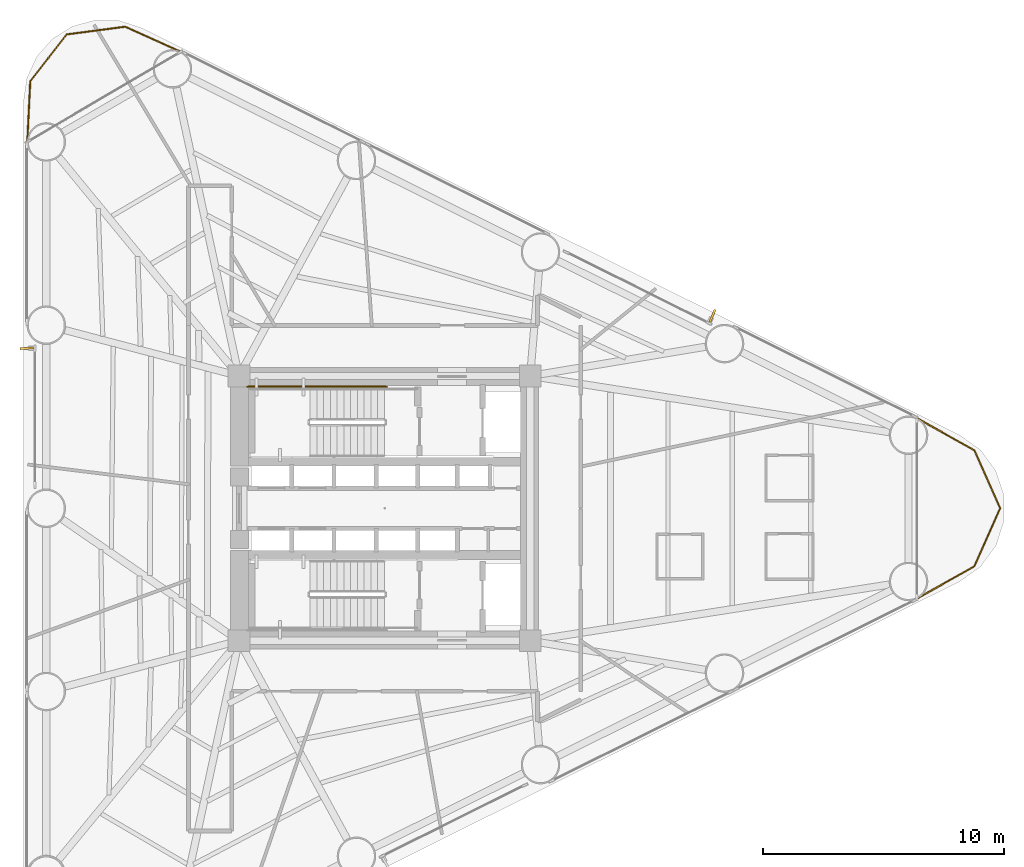
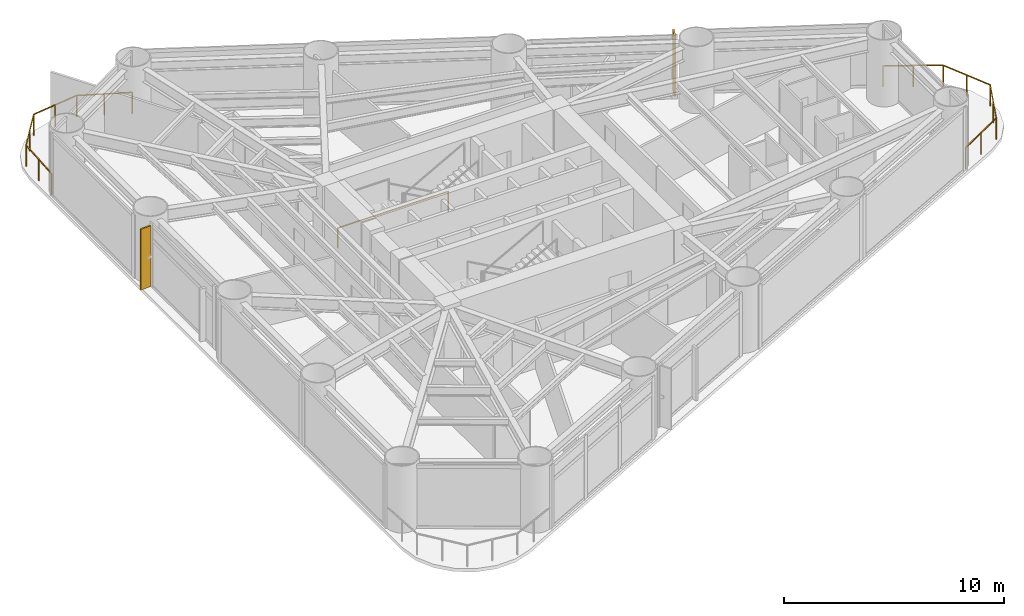
# One storey, part 10 of 10: 3 railings, 2 shading devices.
"""IFC4 building model written with IfcOpenShell, lengths in metres."""

from ifc_helpers import new_model, si_unit, direction, frame, origin, origin_2d, place, context, subcontext, project, spatial, rectangle, extrude, source, transform, mapped, material, material_profile, profile_set, type_object, element, save


model = new_model("IFC4")

# Units and contexts
model_context = context("Model", 3, precision=1e-05, world=origin(), true_north=direction((0.0, 1.0)))
body_context = subcontext(model_context, "Body", "Model", "MODEL_VIEW")
ifc_project = project(units=[si_unit("LENGTHUNIT", "METRE"), si_unit("AREAUNIT", "SQUARE_METRE"), si_unit("VOLUMEUNIT", "CUBIC_METRE"), si_unit("PLANEANGLEUNIT", "RADIAN"), si_unit("MASSUNIT", "GRAM", prefix="KILO")], contexts=[model_context])

# Site, building, storey
site_placement = place(None, origin())
site = spatial("IfcSite", under=ifc_project, at=site_placement, CompositionType="ELEMENT")
building_placement = place(site_placement, origin())
building = spatial("IfcBuilding", under=site, at=building_placement, Name="Yunling Apex Tower", CompositionType="ELEMENT")
storey_placement = place(building_placement, frame((0.0, 0.0, 46.0)))
storey = spatial("IfcBuildingStorey", under=building, at=storey_placement, Name="L13", CompositionType="ELEMENT", Elevation=46.0)

# Railings
ifc_material_1 = material(Name="Bronze anodised aluminium", Category="aluminium")
railing_type_1 = type_object("IfcRailingType", Name="RL-BAL-1200", PredefinedType="BALUSTRADE", material=ifc_material_1)
railing_1_placement = place(storey_placement, frame((22.1181640625, 3.74609375, 0.0)))
element("IfcRailing", 1, at=railing_1_placement, inside=storey, type_object=railing_type_1, Name="RL-CRNSILL-L13-1", PredefinedType="BALUSTRADE", context=body_context, shape_type="SweptSolid", body=[
    extrude(rectangle(XDim=0.0439453125, YDim=0.0439453125, at=origin_2d()), origin(), (0.0, 0.0, 1.0), 1.199951171875),
    extrude(rectangle(XDim=0.0439453125, YDim=0.0439453125, at=origin_2d()), frame((2.380615234375, -1.3349609375, 0.0)), (0.0, 0.0, 1.0), 1.199951171875),
    extrude(rectangle(XDim=0.050048828125, YDim=0.050048828125, at=origin_2d()), frame((0.033447265625, -0.018798828125, 1.1748046875), z_axis=(0.872222158118, -0.48910991289, 0.0), x_axis=(0.48910991289, 0.872222158118, 0.0)), (0.0, 0.0, 1.0), 2.652587890625),
    extrude(rectangle(XDim=0.0439453125, YDim=0.0439453125, at=origin_2d()), frame((1.1904296875, -0.66748046875, 0.0)), (0.0, 0.0, 1.0), 1.14599609375),
    extrude(rectangle(XDim=0.0439453125, YDim=0.0439453125, at=origin_2d()), frame((3.45263671875, -3.74609375, 0.0)), (0.0, 0.0, 1.0), 1.199951171875),
    extrude(rectangle(XDim=0.050048828125, YDim=0.050048828125, at=origin_2d()), frame((2.396240234375, -1.369873046875, 1.1748046875), z_axis=(0.406267230745, -0.913754309004, 0.0), x_axis=(0.913754309004, 0.406267230745, 0.0)), (0.0, 0.0, 1.0), 2.56201171875),
    extrude(rectangle(XDim=0.0439453125, YDim=0.0439453125, at=origin_2d()), frame((2.91650390625, -2.54052734375, 0.0)), (0.0, 0.0, 1.0), 1.14599609375),
    extrude(rectangle(XDim=0.0439453125, YDim=0.0439453125, at=origin_2d()), frame((2.380615234375, -6.1572265625, 0.0)), (0.0, 0.0, 1.0), 1.199951171875),
    extrude(rectangle(XDim=0.050048828125, YDim=0.050048828125, at=origin_2d()), frame((3.43701171875, -3.781005859375, 1.1748046875), z_axis=(-0.406267230745, -0.913754309004, 0.0), x_axis=(0.913754309004, -0.406267230745, 0.0)), (0.0, 0.0, 1.0), 2.56201171875),
    extrude(rectangle(XDim=0.0439453125, YDim=0.0439453125, at=origin_2d()), frame((2.91650390625, -4.95166015625, 0.0)), (0.0, 0.0, 1.0), 1.14599609375),
    extrude(rectangle(XDim=0.0439453125, YDim=0.0439453125, at=origin_2d()), frame((0.0, -7.4921875, 0.0)), (0.0, 0.0, 1.0), 1.199951171875),
    extrude(rectangle(XDim=0.050048828125, YDim=0.050048828125, at=origin_2d()), frame((2.34716796875, -6.176025390625, 1.1748046875), z_axis=(-0.872222158118, -0.48910991289, 0.0), x_axis=(0.48910991289, -0.872222158118, 0.0)), (0.0, 0.0, 1.0), 2.652587890625),
    extrude(rectangle(XDim=0.0439453125, YDim=0.0439453125, at=origin_2d()), frame((1.1904296875, -6.82470703125, 0.0)), (0.0, 0.0, 1.0), 1.14599609375),
])
railing_2_placement = place(storey_placement, frame((-14.842041015625, 15.218994140625, 0.0)))
element("IfcRailing", 2, at=railing_2_placement, inside=storey, type_object=railing_type_1, Name="RL-CRNSILL-L13-2", PredefinedType="BALUSTRADE", context=body_context, shape_type="SweptSolid", body=[
    extrude(rectangle(XDim=0.0439453125, YDim=0.0439453125, at=origin_2d()), origin(), (0.0, 0.0, 1.0), 1.199951171875),
    extrude(rectangle(XDim=0.0439453125, YDim=0.0439453125, at=origin_2d()), frame((0.1240234375, 2.52783203125, 0.0)), (0.0, 0.0, 1.0), 1.199951171875),
    extrude(rectangle(XDim=0.050048828125, YDim=0.050048828125, at=origin_2d()), frame((0.001953125, 0.038330078125, 1.1748046875), z_axis=(0.049004218115, 0.998798571588, 0.0), x_axis=(-0.998798571588, 0.049004218115, 0.0)), (0.0, 0.0, 1.0), 2.4541015625),
    extrude(rectangle(XDim=0.0439453125, YDim=0.0439453125, at=origin_2d()), frame((0.06201171875, 1.263916015625, 0.0)), (0.0, 0.0, 1.0), 1.14599609375),
    extrude(rectangle(XDim=0.0439453125, YDim=0.0439453125, at=origin_2d()), frame((1.640625, 4.469482421875, 0.0)), (0.0, 0.0, 1.0), 1.199951171875),
    extrude(rectangle(XDim=0.050048828125, YDim=0.050048828125, at=origin_2d()), frame((0.147705078125, 2.55810546875, 1.1748046875), z_axis=(0.615565197226, 0.788085964832, 0.0), x_axis=(-0.788085964832, 0.615565197226, 0.0)), (0.0, 0.0, 1.0), 2.38720703125),
    extrude(rectangle(XDim=0.0439453125, YDim=0.0439453125, at=origin_2d()), frame((0.88232421875, 3.49853515625, 0.0)), (0.0, 0.0, 1.0), 1.14599609375),
    extrude(rectangle(XDim=0.0439453125, YDim=0.0439453125, at=origin_2d()), frame((4.075439453125, 4.7890625, 0.0)), (0.0, 0.0, 1.0), 1.199951171875),
    extrude(rectangle(XDim=0.050048828125, YDim=0.050048828125, at=origin_2d()), frame((1.6787109375, 4.474365234375, 1.1748046875), z_axis=(0.991495866646, 0.130138182035, 0.0), x_axis=(-0.130138182035, 0.991495866646, 0.0)), (0.0, 0.0, 1.0), 2.379150390625),
    extrude(rectangle(XDim=0.0439453125, YDim=0.0439453125, at=origin_2d()), frame((2.85791015625, 4.62939453125, 0.0)), (0.0, 0.0, 1.0), 1.14599609375),
    extrude(rectangle(XDim=0.0439453125, YDim=0.0439453125, at=origin_2d()), frame((6.382568359375, 3.74609375, 0.0)), (0.0, 0.0, 1.0), 1.199951171875),
    extrude(rectangle(XDim=0.050048828125, YDim=0.050048828125, at=origin_2d()), frame((4.1103515625, 4.773193359375, 1.1748046875), z_axis=(0.911216522497, -0.411927723186, 0.0), x_axis=(0.411927723186, 0.911216522497, 0.0)), (0.0, 0.0, 1.0), 2.455322265625),
    extrude(rectangle(XDim=0.0439453125, YDim=0.0439453125, at=origin_2d()), frame((5.22900390625, 4.267578125, 0.0)), (0.0, 0.0, 1.0), 1.14599609375),
])
ifc_material_2 = material(Name="Steel Q355B", Category="steel")
railing_type_2 = type_object("IfcRailingType", Name="RL-GRD-1150", PredefinedType="GUARDRAIL", material=ifc_material_2)
railing_3_placement = place(storey_placement, frame((0.090087890625, 5.06005859375, 0.0)))
element("IfcRailing", 3, at=railing_3_placement, inside=storey, type_object=railing_type_2, Name="L13 ST-1 stair guard 7", PredefinedType="GUARDRAIL", context=body_context, shape_type="SweptSolid", body=[
    extrude(rectangle(XDim=0.0439453125, YDim=0.0439453125, at=origin_2d()), origin(), (0.0, 0.0, 1.0), 1.14990234375),
    extrude(rectangle(XDim=0.0439453125, YDim=0.0439453125, at=origin_2d()), frame((-5.7900390625, 0.0, 0.0)), (0.0, 0.0, 1.0), 1.14990234375),
    extrude(rectangle(XDim=0.050048828125, YDim=0.050048828125, at=origin_2d()), frame((-0.038330078125, 0.0, 1.125), z_axis=(-1.0, 0.0, 0.0), x_axis=(0.0, -1.0, 0.0)), (0.0, 0.0, 1.0), 5.71337890625),
])

# Shading devices
ifc_material_profile = material_profile(ifc_material_1, rectangle(XDim=0.0849609375, YDim=0.550048828125, at=origin_2d()))
ifc_profile_set = profile_set([ifc_material_profile], Name="Bronze anodised aluminium")
shading_device_type = type_object("IfcShadingDeviceType", Name="FN-BRZ-3", PredefinedType="USERDEFINED", material=ifc_profile_set)
shared_shape = source(origin(), body_context, "Body", "SweptSolid", [
    extrude(rectangle(XDim=0.0849609375, YDim=0.550048828125, at=origin_2d()), origin(), (0.0, 0.0, 1.0), 3.360107421875),
])
for number, where, z_axis, x_axis, name in (
    (4, (13.623291015625, 8.002197265625, 0.06005859375), (0.0, 0.0, 1.0), (-0.922470722095, 0.386067049717, 0.0), "CW-L13-F2-B2-FIN-01"),
    (5, (-14.866943359375, 6.64697265625, 0.06005859375), (0.0, 0.0, 1.0), (0.06540312923, -0.997858923239, 0.0), "CW-L13-F3-B2-FIN-01"),
):
    element("IfcShadingDevice", number, at=place(storey_placement, frame(where, z_axis=z_axis, x_axis=x_axis)), inside=storey, type_object=shading_device_type, Name=name, ObjectType="FIN", PredefinedType="USERDEFINED", context=body_context, shape_type="MappedRepresentation", body=[
        mapped(shared_shape, transform((0.0, 0.0, 0.0), scale=1.0)),
    ])

save(model, "model.ifc")
